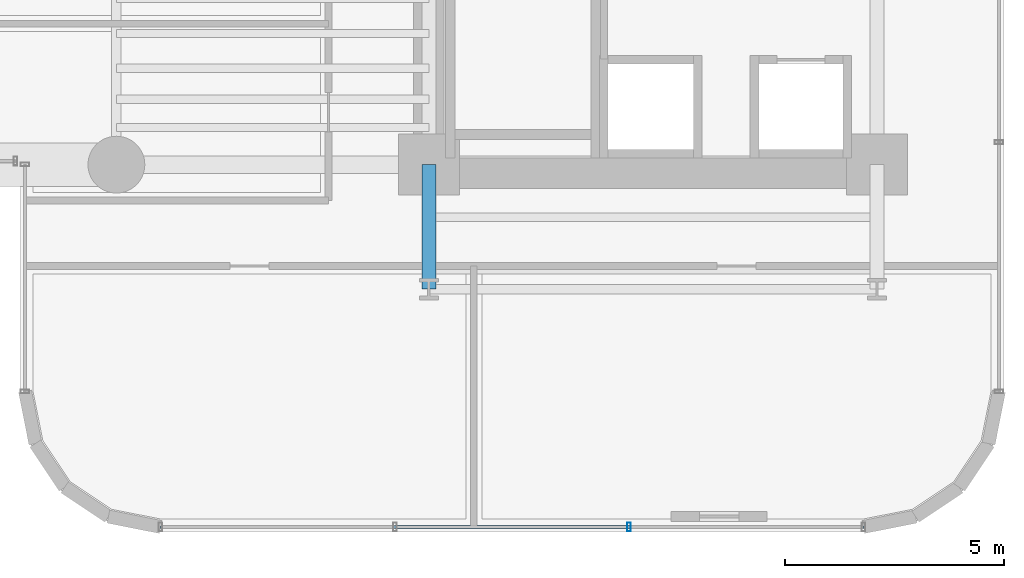
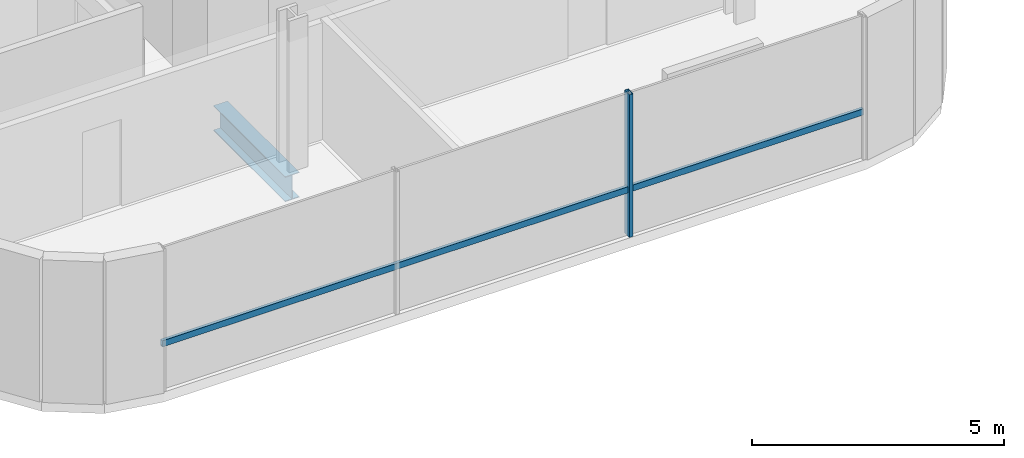
# One storey, part 3 of 39: 2 members, 1 beam, 1 element without a shape of its own.
"""IFC4 building model written with IfcOpenShell, lengths in metres."""

from ifc_helpers import new_model, si_unit, direction, frame, origin, origin_2d, place, context, subcontext, project, spatial, hollow_rectangle, i_section, extrude, source, transform, mapped, material, material_profile, profile_set, type_object, element, aggregate, save


model = new_model("IFC4")

# Units and contexts
model_context = context("Model", 3, precision=1e-05, world=origin(), true_north=direction((0.0, 1.0)))
body_context = subcontext(model_context, "Body", "Model", "MODEL_VIEW")
ifc_project = project(units=[si_unit("LENGTHUNIT", "METRE"), si_unit("AREAUNIT", "SQUARE_METRE"), si_unit("VOLUMEUNIT", "CUBIC_METRE"), si_unit("PLANEANGLEUNIT", "RADIAN"), si_unit("MASSUNIT", "GRAM", prefix="KILO")], contexts=[model_context])

# Site, building, storey
site_placement = place(None, origin())
site = spatial("IfcSite", under=ifc_project, at=site_placement, CompositionType="ELEMENT")
building_placement = place(site_placement, origin())
building = spatial("IfcBuilding", under=site, at=building_placement, Name="Valdorenza Pilgrim Sanctuary Tower", CompositionType="ELEMENT")
storey_placement = place(building_placement, frame((0.0, 0.0, 33.39990234375)))
storey = spatial("IfcBuildingStorey", under=building, at=storey_placement, Name="L07", CompositionType="ELEMENT", Elevation=33.39990234375)

# Beam
ifc_material_1 = material(Name="Steel ASTM A992 Grade 50", Category="steel")
ifc_material_profile_1 = material_profile(ifc_material_1, i_section(OverallWidth=0.323974609375, OverallDepth=0.611083984375, WebThickness=0.0126953125, FlangeThickness=0.01904296875, at=origin_2d()), Name="W24X104")
ifc_profile_set_1 = profile_set([ifc_material_profile_1], Name="Steel ASTM A992 Grade 50")
beam_type = type_object("IfcBeamType", Name="STR-BM-GRD-W24B", PredefinedType="BEAM", material=ifc_profile_set_1)
shared_shape_1 = source(origin(), body_context, "Body", "SweptSolid", [
    extrude(i_section(OverallWidth=0.323974609375, OverallDepth=0.611083984375, WebThickness=0.0126953125, FlangeThickness=0.01904296875, at=origin_2d()), origin(), (0.0, 0.0, 1.0), 2.849853515625),
])
beam_placement = place(storey_placement, frame((-22.64990234375, -13.449951171875, -0.54541015625), z_axis=(0.0, 1.0, 0.0), x_axis=(-1.0, 0.0, 0.0)))
element("IfcBeam", 1, at=beam_placement, inside=storey, type_object=beam_type, Name="L07 Floor Girder WA-S-LW", PredefinedType="BEAM", context=body_context, shape_type="MappedRepresentation", body=[
    mapped(shared_shape_1, transform((0.0, 0.0, 0.0), x_axis=(1.0, 0.0, 0.0), y_axis=(0.0, 1.0, 0.0), z_axis=(0.0, 0.0, 1.0), scale=1.0)),
])

# Curtain wall, members
ifc_material_2 = material(Name="Curtain-wall IGU glazing", Category="glass")
curtain_wall_type = type_object("IfcCurtainWallType", Name="CW-SYS-02", PredefinedType="NOTDEFINED", material=ifc_material_2)
curtain_wall_placement = place(storey_placement, origin())
curtain_wall = element("IfcCurtainWall", 2, at=curtain_wall_placement, inside=storey, type_object=curtain_wall_type, Name="L07 Curtain Wall CW-L07-1-46", PredefinedType="NOTDEFINED")
ifc_material_3 = material(Name="Anodised aluminium AW-6060", Category="aluminium")
ifc_material_profile_2 = material_profile(ifc_material_3, hollow_rectangle(XDim=0.074951171875, YDim=0.14990234375, WallThickness=0.00390625, at=origin_2d()), Name="ALU-T 150x75x4")
ifc_profile_set_2 = profile_set([ifc_material_profile_2], Name="Anodised aluminium AW-6060")
member_type_1 = type_object("IfcMemberType", Name="CW-TRN-02", PredefinedType="USERDEFINED", material=ifc_profile_set_2)
shared_shape_2 = source(origin(), body_context, "Body", "SweptSolid", [
    extrude(hollow_rectangle(XDim=0.074951171875, YDim=0.14990234375, WallThickness=0.00390625, at=origin_2d()), origin(), (0.0, 0.0, 1.0), 16.07861328125),
])
member_1_placement = place(storey_placement, frame((-12.710693359375, -18.889892578125, 1.1201171875), z_axis=(-1.0, 0.0, 0.0), x_axis=(0.0, -1.0, 0.0)))
member_1 = element("IfcMember", 3, at=member_1_placement, type_object=member_type_1, Name="CW-L07-1-46 Transom 1", ObjectType="TRANSOM", PredefinedType="USERDEFINED", context=body_context, shape_type="MappedRepresentation", body=[
    mapped(shared_shape_2, transform((0.0, 0.0, 0.0), x_axis=(1.0, 0.0, 0.0), y_axis=(0.0, 1.0, 0.0), z_axis=(0.0, 0.0, 1.0), scale=1.0)),
])
ifc_material_profile_3 = material_profile(ifc_material_3, hollow_rectangle(XDim=0.0849609375, YDim=0.199951171875, WallThickness=0.0048828125, at=origin_2d()), Name="ALU-M 200x85x5")
ifc_profile_set_3 = profile_set([ifc_material_profile_3], Name="Anodised aluminium AW-6060")
member_type_2 = type_object("IfcMemberType", Name="CW-MUL-02", PredefinedType="MULLION", material=ifc_profile_set_3)
shared_shape_3 = source(origin(), body_context, "Body", "SweptSolid", [
    extrude(hollow_rectangle(XDim=0.0849609375, YDim=0.199951171875, WallThickness=0.0048828125, at=origin_2d()), origin(), (0.0, 0.0, 1.0), 3.460205078125),
])
member_2_placement = place(storey_placement, frame((-18.0703125, -18.889892578125, 0.0), z_axis=(0.0, 0.0, 1.0), x_axis=(-1.0, 0.0, 0.0)))
member_2 = element("IfcMember", 4, at=member_2_placement, type_object=member_type_2, Name="CW-L07-1-46 Mullion 2", PredefinedType="MULLION", context=body_context, shape_type="MappedRepresentation", body=[
    mapped(shared_shape_3, transform((0.0, 0.0, 0.0), x_axis=(1.0, 0.0, 0.0), y_axis=(0.0, 1.0, 0.0), z_axis=(0.0, 0.0, 1.0), scale=1.0)),
])
aggregate(curtain_wall, [member_2, member_1])

save(model, "model.ifc")
